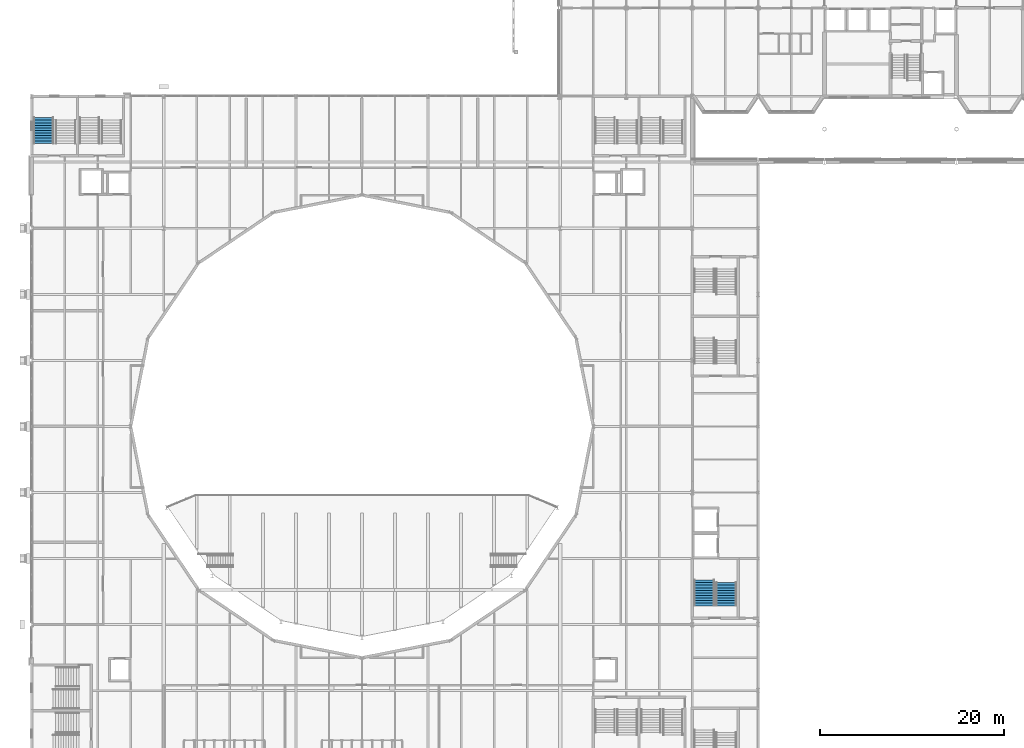
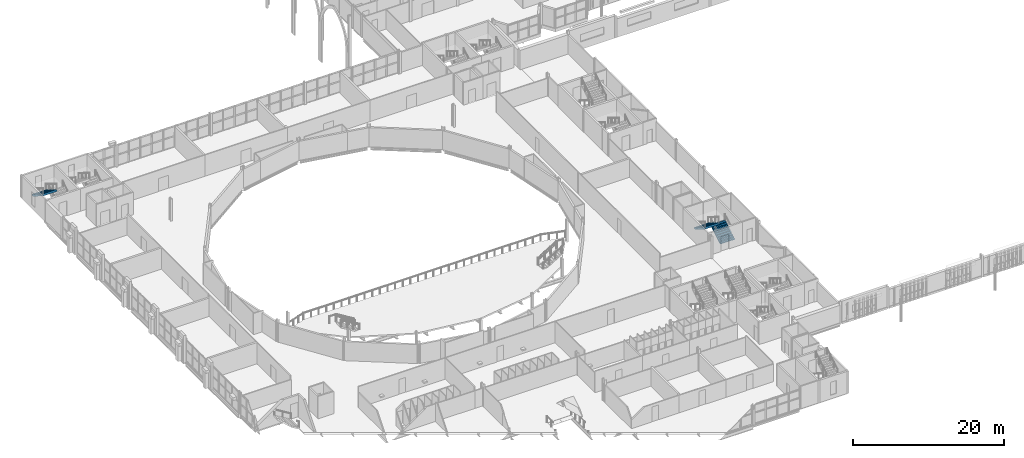
# One storey, part 87 of 124: 3 stair flights, 2 elements without a shape of their own.
"""IFC4 building model written with IfcOpenShell, lengths in metres."""

from ifc_helpers import new_model, si_unit, direction, frame, origin, place, context, subcontext, project, spatial, polyline, outline, extrude, material, type_object, element, aggregate, save


model = new_model("IFC4")

# Units and contexts
model_context = context("Model", 3, precision=1e-05, world=origin(), true_north=direction((0.0, 1.0)))
body_context = subcontext(model_context, "Body", "Model", "MODEL_VIEW")
ifc_project = project(units=[si_unit("LENGTHUNIT", "METRE"), si_unit("AREAUNIT", "SQUARE_METRE"), si_unit("VOLUMEUNIT", "CUBIC_METRE"), si_unit("PLANEANGLEUNIT", "RADIAN"), si_unit("MASSUNIT", "GRAM", prefix="KILO")], contexts=[model_context])

# Site, building, storey
site_placement = place(None, origin())
site = spatial("IfcSite", under=ifc_project, at=site_placement, CompositionType="ELEMENT")
building_placement = place(site_placement, origin())
building = spatial("IfcBuilding", under=site, at=building_placement, Name="Kupolbacken Congress Centre", CompositionType="ELEMENT")
storey_placement = place(building_placement, frame((0.0, 0.0, 10.800048828125)))
storey = spatial("IfcBuildingStorey", under=building, at=storey_placement, Name="L03", CompositionType="ELEMENT", Elevation=10.800048828125)

# Stair, stair flight
ifc_material_1 = material(Name="Concrete C30/37", Category="concrete")
stair_type = type_object("IfcStairType", Name="ST13 stair 2200", PredefinedType="TWO_STRAIGHT_RUN_STAIR", material=ifc_material_1)
stair_1_placement = place(storey_placement, origin())
stair_1 = element("IfcStair", 1, at=stair_1_placement, inside=storey, type_object=stair_type, Name="C/stair/LS3/L03", PredefinedType="NOTDEFINED")
ifc_material_2 = material(Name="Concrete C30/37", Category="concrete")
stair_flight_type_1 = type_object("IfcStairFlightType", Name="FL13 stair flight 2200 x 10 risers", PredefinedType="STRAIGHT", material=ifc_material_2)
stair_flight_1_placement = place(storey_placement, frame((82.89990234375, 66.85498046875, 0.0), z_axis=(0.0, 0.0, 1.0), x_axis=(0.0, 1.0, 0.0)))
stair_flight_1 = element("IfcStairFlight", 2, at=stair_flight_1_placement, type_object=stair_flight_type_1, Name="LS3 flight 1", NumberOfRisers=10, NumberOfTreads=9, PredefinedType="STRAIGHT", RiserHeight=0.171428571, TreadLength=0.28, context=body_context, shape_type="SweptSolid", body=[
    extrude(outline(polyline([(0.0, 0.0), (0.0, 0.0009765625), (0.0, 0.002197265625), (0.0, 0.003173828125), (0.0, 0.004150390625), (0.0, 0.00537109375), (0.0, 0.00634765625), (0.0, 0.007568359375), (0.0, 0.008544921875), (0.0, 0.009521484375), (0.0, 0.0107421875), (0.0, 0.01171875), (0.0, 0.0126953125), (0.0, 0.013916015625), (0.0, 0.014892578125), (0.0, 0.015869140625), (0.0, 0.01708984375), (0.0, 0.01806640625), (0.0, 0.019287109375), (0.0, 0.020263671875), (0.0, 0.021240234375), (0.0, 0.0224609375), (0.0, 0.0234375), (0.0, 0.0244140625), (0.0, 0.025634765625), (0.0, 0.026611328125), (0.0, 0.027587890625), (0.0, 0.02880859375), (0.0, 0.02978515625), (0.0, 0.03076171875), (0.0, 0.031982421875), (0.0, 0.032958984375), (0.0, 0.0341796875), (0.0, 0.03515625), (0.0, 0.0361328125), (0.0, 0.037353515625), (0.0, 0.038330078125), (0.0, 0.039306640625), (0.0, 0.04052734375), (0.0, 0.04150390625), (0.0, 0.04248046875), (0.0, 0.043701171875), (0.0, 0.044677734375), (0.0, 0.0458984375), (0.0, 0.046875), (0.0, 0.0478515625), (0.0, 0.049072265625), (0.0, 0.050048828125), (0.0, 0.051025390625), (0.0, 0.05224609375), (0.0, 0.05322265625), (0.0, 0.05419921875), (0.0, 0.055419921875), (0.0, 0.056396484375), (0.0, 0.0576171875), (0.0, 0.05859375), (0.0, 0.0595703125), (0.0, 0.060791015625), (0.0, 0.061767578125), (0.0, 0.062744140625), (0.0, 0.06396484375), (0.0, 0.06494140625), (0.0, 0.06591796875), (0.0, 0.067138671875), (0.0, 0.068115234375), (0.0, 0.069091796875), (0.0, 0.0703125), (0.0, 0.0712890625), (0.0, 0.072509765625), (0.0, 0.073486328125), (0.0, 0.074462890625), (0.0, 0.07568359375), (0.0, 0.07666015625), (0.0, 0.07763671875), (0.0, 0.078857421875), (0.0, 0.079833984375), (0.0, 0.080810546875), (0.0, 0.08203125), (0.0, 0.0830078125), (0.0, 0.084228515625), (0.0, 0.085205078125), (0.0, 0.086181640625), (0.0, 0.08740234375), (0.0, 0.08837890625), (0.0, 0.08935546875), (0.0, 0.090576171875), (0.0, 0.091552734375), (0.0, 0.092529296875), (0.0, 0.09375), (0.0, 0.0947265625), (0.0, 0.095947265625), (0.0, 0.096923828125), (0.0, 0.097900390625), (0.0, 0.09912109375), (0.0, 0.10009765625), (0.0, 0.10107421875), (0.0, 0.102294921875), (0.0, 0.103271484375), (0.0, 0.104248046875), (0.0, 0.10546875), (0.0, 0.1064453125), (0.0, 0.107421875), (0.0, 0.108642578125), (0.0, 0.109619140625), (0.0, 0.11083984375), (0.0, 0.11181640625), (0.0, 0.11279296875), (0.0, 0.114013671875), (0.0, 0.114990234375), (0.0, 0.115966796875), (0.0, 0.1171875), (0.0, 0.1181640625), (0.0, 0.119140625), (0.0, 0.120361328125), (0.0, 0.121337890625), (0.0, 0.12255859375), (0.0, 0.12353515625), (0.0, 0.12451171875), (0.0, 0.125732421875), (0.0, 0.126708984375), (0.0, 0.127685546875), (0.0, 0.12890625), (0.0, 0.1298828125), (0.0, 0.130859375), (0.0, 0.132080078125), (0.0, 0.133056640625), (0.0, 0.13427734375), (0.0, 0.13525390625), (0.0, 0.13623046875), (0.0, 0.137451171875), (0.0, 0.138427734375), (0.0, 0.139404296875), (0.0, 0.140625), (0.0, 0.1416015625), (0.0, 0.142578125), (0.0, 0.143798828125), (0.0, 0.144775390625), (0.0, 0.145751953125), (0.0, 0.14697265625), (0.0, 0.14794921875), (0.0, 0.149169921875), (0.0, 0.150146484375), (0.0, 0.151123046875), (0.0, 0.15234375), (0.0, 0.1533203125), (0.0, 0.154296875), (0.0, 0.155517578125), (0.0, 0.156494140625), (0.0, 0.157470703125), (0.0, 0.15869140625), (0.0, 0.15966796875), (0.0, 0.160888671875), (0.0, 0.161865234375), (0.0, 0.162841796875), (0.0, 0.1640625), (0.0, 0.1650390625), (0.0, 0.166015625), (0.0, 0.167236328125), (0.0, 0.168212890625), (0.0, 0.169189453125), (0.0, 0.17041015625), (0.0, 0.17138671875), (0.280029296875, 0.17138671875), (0.280029296875, 0.3427734375), (0.56005859375, 0.3427734375), (0.56005859375, 0.514404296875), (0.840087890625, 0.514404296875), (0.840087890625, 0.685791015625), (1.1201171875, 0.685791015625), (1.1201171875, 0.857177734375), (1.39990234375, 0.857177734375), (1.39990234375, 1.028564453125), (1.679931640625, 1.028564453125), (1.679931640625, 1.199951171875), (1.9599609375, 1.199951171875), (1.9599609375, 1.371337890625), (2.239990234375, 1.371337890625), (2.239990234375, 1.54296875), (2.52001953125, 1.54296875), (2.52001953125, 1.71435546875), (2.52197265625, 1.71435546875), (2.52197265625, 1.712158203125), (2.52197265625, 1.7099609375), (2.52197265625, 1.707763671875), (2.52197265625, 1.70556640625), (2.52197265625, 1.70361328125), (2.52197265625, 1.701416015625), (2.52197265625, 1.69921875), (2.52197265625, 1.697021484375), (2.52197265625, 1.69482421875), (2.52197265625, 1.692626953125), (2.52197265625, 1.690673828125), (2.52197265625, 1.6884765625), (2.52197265625, 1.686279296875), (2.52197265625, 1.68408203125), (2.52197265625, 1.681884765625), (2.52197265625, 1.6796875), (2.52197265625, 1.677734375), (2.52197265625, 1.675537109375), (2.52197265625, 1.67333984375), (2.52197265625, 1.671142578125), (2.52197265625, 1.6689453125), (2.52197265625, 1.666748046875), (2.52197265625, 1.664794921875), (2.52197265625, 1.66259765625), (2.52197265625, 1.660400390625), (2.52197265625, 1.658203125), (2.52197265625, 1.656005859375), (2.52197265625, 1.65380859375), (2.52197265625, 1.65185546875), (2.52197265625, 1.649658203125), (2.52197265625, 1.6474609375), (2.52197265625, 1.645263671875), (2.52197265625, 1.64306640625), (2.52197265625, 1.640869140625), (2.52197265625, 1.638916015625), (2.52197265625, 1.63671875), (2.52197265625, 1.634521484375), (2.52197265625, 1.63232421875), (2.52197265625, 1.630126953125), (2.52197265625, 1.6279296875), (2.52197265625, 1.6259765625), (2.52197265625, 1.623779296875), (2.52197265625, 1.62158203125), (2.52197265625, 1.619384765625), (2.52197265625, 1.6171875), (2.52197265625, 1.614990234375), (2.52197265625, 1.613037109375), (2.52197265625, 1.61083984375), (2.52197265625, 1.608642578125), (2.52197265625, 1.6064453125), (2.52197265625, 1.604248046875), (2.52197265625, 1.60205078125), (2.52197265625, 1.60009765625), (2.52197265625, 1.597900390625), (2.52197265625, 1.595703125), (2.52197265625, 1.593505859375), (2.52197265625, 1.59130859375), (2.52197265625, 1.589111328125), (2.52197265625, 1.587158203125), (2.52197265625, 1.5849609375), (2.52197265625, 1.582763671875), (2.52197265625, 1.58056640625), (2.52197265625, 1.578369140625), (2.52197265625, 1.576171875), (2.52197265625, 1.57421875), (2.52197265625, 1.572021484375), (2.52197265625, 1.56982421875), (2.52197265625, 1.567626953125), (2.52197265625, 1.5654296875), (2.52197265625, 1.563232421875), (2.52197265625, 1.561279296875), (2.52197265625, 1.55908203125), (2.52197265625, 1.556884765625), (2.52197265625, 1.5546875), (2.52197265625, 1.552490234375), (2.52197265625, 1.55029296875), (2.52197265625, 1.54833984375), (2.52197265625, 1.546142578125), (2.52197265625, 1.5439453125), (2.52197265625, 1.541748046875), (2.52197265625, 1.53955078125), (2.52197265625, 1.537353515625), (2.52197265625, 1.535400390625), (2.52197265625, 1.533203125), (2.52197265625, 1.531005859375), (2.52197265625, 1.52880859375), (2.52197265625, 1.526611328125), (2.52197265625, 1.5244140625), (2.52197265625, 1.5224609375), (2.52197265625, 1.520263671875), (2.52197265625, 1.51806640625), (2.52197265625, 1.515869140625), (2.52197265625, 1.513671875), (2.52197265625, 1.511474609375), (2.52197265625, 1.509521484375), (2.52197265625, 1.50732421875), (2.52197265625, 1.505126953125), (2.52197265625, 1.5029296875), (2.52197265625, 1.500732421875), (2.52197265625, 1.49853515625), (2.52197265625, 1.49658203125), (2.52197265625, 1.494384765625), (2.52197265625, 1.4921875), (2.52197265625, 1.489990234375), (2.52197265625, 1.48779296875), (2.52197265625, 1.485595703125), (2.52197265625, 1.483642578125), (2.52197265625, 1.4814453125), (2.52197265625, 1.479248046875), (2.52197265625, 1.47705078125), (2.52197265625, 1.474853515625), (2.52197265625, 1.47265625), (2.52197265625, 1.470703125), (2.52197265625, 1.468505859375), (2.52197265625, 1.46630859375), (2.52197265625, 1.464111328125), (2.52197265625, 1.4619140625), (2.52197265625, 1.459716796875), (2.52197265625, 1.457763671875), (2.52197265625, 1.45556640625), (2.52197265625, 1.453369140625), (2.52197265625, 1.451171875), (2.52197265625, 1.448974609375), (2.52197265625, 1.44677734375), (2.52197265625, 1.44482421875), (2.52197265625, 1.442626953125), (2.52197265625, 1.4404296875), (2.52197265625, 1.438232421875), (2.52197265625, 1.43603515625), (2.52197265625, 1.433837890625), (2.52197265625, 1.431884765625), (2.52197265625, 1.4296875), (2.52197265625, 1.427490234375), (2.52197265625, 1.42529296875), (2.52197265625, 1.423095703125), (2.52197265625, 1.4208984375), (2.52197265625, 1.4189453125), (2.52197265625, 1.416748046875), (2.52197265625, 1.41455078125), (2.52197265625, 1.412353515625), (2.52197265625, 1.41015625), (2.52197265625, 1.407958984375), (2.52197265625, 1.406005859375), (2.52197265625, 1.40380859375), (2.52197265625, 1.401611328125), (2.52197265625, 1.3994140625), (2.52197265625, 1.397216796875), (2.52197265625, 1.39501953125), (2.52197265625, 1.39306640625), (2.52197265625, 1.390869140625), (2.52197265625, 1.388671875), (2.52197265625, 1.386474609375), (2.52197265625, 1.38427734375), (2.52197265625, 1.382080078125), (2.52197265625, 1.380126953125), (2.52197265625, 1.3779296875), (2.52197265625, 1.375732421875), (2.52197265625, 1.37353515625), (2.52197265625, 1.371337890625), (2.52197265625, 1.369140625), (2.52197265625, 1.3671875), (0.2890625, 0.0), (0.0, 0.0)])), frame((0.0, 1.10009765625, 0.0), z_axis=(0.0, -1.0, 0.0), x_axis=(1.0, 0.0, 0.0)), (0.0, 0.0, 1.0), 2.199951171875),
])

stair_2_placement = place(storey_placement, origin())
stair_2 = element("IfcStair", 3, at=stair_2_placement, inside=storey, type_object=stair_type, Name="C/stair/PS1NW/L03", PredefinedType="NOTDEFINED")
ifc_material_3 = material(Name="Concrete C30/37", Category="concrete")
stair_flight_type_2 = type_object("IfcStairFlightType", Name="FL14 stair flight 2200 x 11 risers", PredefinedType="STRAIGHT", material=ifc_material_3)
stair_flight_2_placement = place(storey_placement, frame((8.5, 120.054931640625, 1.71435546875), z_axis=(0.0, 0.0, 1.0), x_axis=(0.0, -1.0, 0.0)))
stair_flight_2 = element("IfcStairFlight", 4, at=stair_flight_2_placement, type_object=stair_flight_type_2, Name="PS1NW flight 2", NumberOfRisers=11, NumberOfTreads=10, PredefinedType="STRAIGHT", RiserHeight=0.171428571, TreadLength=0.28, context=body_context, shape_type="SweptSolid", body=[
    extrude(outline(polyline([(0.0, 0.0), (0.0, 0.0009765625), (0.0, 0.002197265625), (0.0, 0.003173828125), (0.0, 0.004150390625), (0.0, 0.00537109375), (0.0, 0.00634765625), (0.0, 0.007568359375), (0.0, 0.008544921875), (0.0, 0.009521484375), (0.0, 0.0107421875), (0.0, 0.01171875), (0.0, 0.0126953125), (0.0, 0.013916015625), (0.0, 0.014892578125), (0.0, 0.015869140625), (0.0, 0.01708984375), (0.0, 0.01806640625), (0.0, 0.019287109375), (0.0, 0.020263671875), (0.0, 0.021240234375), (0.0, 0.0224609375), (0.0, 0.0234375), (0.0, 0.0244140625), (0.0, 0.025634765625), (0.0, 0.026611328125), (0.0, 0.027587890625), (0.0, 0.02880859375), (0.0, 0.02978515625), (0.0, 0.03076171875), (0.0, 0.031982421875), (0.0, 0.032958984375), (0.0, 0.0341796875), (0.0, 0.03515625), (0.0, 0.0361328125), (0.0, 0.037353515625), (0.0, 0.038330078125), (0.0, 0.039306640625), (0.0, 0.04052734375), (0.0, 0.04150390625), (0.0, 0.04248046875), (0.0, 0.043701171875), (0.0, 0.044677734375), (0.0, 0.0458984375), (0.0, 0.046875), (0.0, 0.0478515625), (0.0, 0.049072265625), (0.0, 0.050048828125), (0.0, 0.051025390625), (0.0, 0.05224609375), (0.0, 0.05322265625), (0.0, 0.05419921875), (0.0, 0.055419921875), (0.0, 0.056396484375), (0.0, 0.0576171875), (0.0, 0.05859375), (0.0, 0.0595703125), (0.0, 0.060791015625), (0.0, 0.061767578125), (0.0, 0.062744140625), (0.0, 0.06396484375), (0.0, 0.06494140625), (0.0, 0.06591796875), (0.0, 0.067138671875), (0.0, 0.068115234375), (0.0, 0.069091796875), (0.0, 0.0703125), (0.0, 0.0712890625), (0.0, 0.072509765625), (0.0, 0.073486328125), (0.0, 0.074462890625), (0.0, 0.07568359375), (0.0, 0.07666015625), (0.0, 0.07763671875), (0.0, 0.078857421875), (0.0, 0.079833984375), (0.0, 0.080810546875), (0.0, 0.08203125), (0.0, 0.0830078125), (0.0, 0.084228515625), (0.0, 0.085205078125), (0.0, 0.086181640625), (0.0, 0.08740234375), (0.0, 0.08837890625), (0.0, 0.08935546875), (0.0, 0.090576171875), (0.0, 0.091552734375), (0.0, 0.092529296875), (0.0, 0.09375), (0.0, 0.0947265625), (0.0, 0.095947265625), (0.0, 0.096923828125), (0.0, 0.097900390625), (0.0, 0.09912109375), (0.0, 0.10009765625), (0.0, 0.10107421875), (0.0, 0.102294921875), (0.0, 0.103271484375), (0.0, 0.104248046875), (0.0, 0.10546875), (0.0, 0.1064453125), (0.0, 0.107421875), (0.0, 0.108642578125), (0.0, 0.109619140625), (0.0, 0.11083984375), (0.0, 0.11181640625), (0.0, 0.11279296875), (0.0, 0.114013671875), (0.0, 0.114990234375), (0.0, 0.115966796875), (0.0, 0.1171875), (0.0, 0.1181640625), (0.0, 0.119140625), (0.0, 0.120361328125), (0.0, 0.121337890625), (0.0, 0.12255859375), (0.0, 0.12353515625), (0.0, 0.12451171875), (0.0, 0.125732421875), (0.0, 0.126708984375), (0.0, 0.127685546875), (0.0, 0.12890625), (0.0, 0.1298828125), (0.0, 0.130859375), (0.0, 0.132080078125), (0.0, 0.133056640625), (0.0, 0.13427734375), (0.0, 0.13525390625), (0.0, 0.13623046875), (0.0, 0.137451171875), (0.0, 0.138427734375), (0.0, 0.139404296875), (0.0, 0.140625), (0.0, 0.1416015625), (0.0, 0.142578125), (0.0, 0.143798828125), (0.0, 0.144775390625), (0.0, 0.145751953125), (0.0, 0.14697265625), (0.0, 0.14794921875), (0.0, 0.149169921875), (0.0, 0.150146484375), (0.0, 0.151123046875), (0.0, 0.15234375), (0.0, 0.1533203125), (0.0, 0.154296875), (0.0, 0.155517578125), (0.0, 0.156494140625), (0.0, 0.157470703125), (0.0, 0.15869140625), (0.0, 0.15966796875), (0.0, 0.160888671875), (0.0, 0.161865234375), (0.0, 0.162841796875), (0.0, 0.1640625), (0.0, 0.1650390625), (0.0, 0.166015625), (0.0, 0.167236328125), (0.0, 0.168212890625), (0.0, 0.169189453125), (0.0, 0.17041015625), (0.0, 0.17138671875), (0.280029296875, 0.17138671875), (0.280029296875, 0.3427734375), (0.56005859375, 0.3427734375), (0.56005859375, 0.514404296875), (0.840087890625, 0.514404296875), (0.840087890625, 0.685791015625), (1.1201171875, 0.685791015625), (1.1201171875, 0.857177734375), (1.39990234375, 0.857177734375), (1.39990234375, 1.028564453125), (1.679931640625, 1.028564453125), (1.679931640625, 1.199951171875), (1.9599609375, 1.199951171875), (1.9599609375, 1.371337890625), (2.239990234375, 1.371337890625), (2.239990234375, 1.54296875), (2.52001953125, 1.54296875), (2.52001953125, 1.71435546875), (2.800048828125, 1.71435546875), (2.800048828125, 1.8857421875), (2.802001953125, 1.8857421875), (2.802001953125, 1.883544921875), (2.802001953125, 1.88134765625), (2.802001953125, 1.879150390625), (2.802001953125, 1.877197265625), (2.802001953125, 1.875), (2.802001953125, 1.872802734375), (2.802001953125, 1.87060546875), (2.802001953125, 1.868408203125), (2.802001953125, 1.8662109375), (2.802001953125, 1.8642578125), (2.802001953125, 1.862060546875), (2.802001953125, 1.85986328125), (2.802001953125, 1.857666015625), (2.802001953125, 1.85546875), (2.802001953125, 1.853271484375), (2.802001953125, 1.851318359375), (2.802001953125, 1.84912109375), (2.802001953125, 1.846923828125), (2.802001953125, 1.8447265625), (2.802001953125, 1.842529296875), (2.802001953125, 1.84033203125), (2.802001953125, 1.83837890625), (2.802001953125, 1.836181640625), (2.802001953125, 1.833984375), (2.802001953125, 1.831787109375), (2.802001953125, 1.82958984375), (2.802001953125, 1.827392578125), (2.802001953125, 1.825439453125), (2.802001953125, 1.8232421875), (2.802001953125, 1.821044921875), (2.802001953125, 1.81884765625), (2.802001953125, 1.816650390625), (2.802001953125, 1.814453125), (2.802001953125, 1.8125), (2.802001953125, 1.810302734375), (2.802001953125, 1.80810546875), (2.802001953125, 1.805908203125), (2.802001953125, 1.8037109375), (2.802001953125, 1.801513671875), (2.802001953125, 1.799560546875), (2.802001953125, 1.79736328125), (2.802001953125, 1.795166015625), (2.802001953125, 1.79296875), (2.802001953125, 1.790771484375), (2.802001953125, 1.78857421875), (2.802001953125, 1.78662109375), (2.802001953125, 1.784423828125), (2.802001953125, 1.7822265625), (2.802001953125, 1.780029296875), (2.802001953125, 1.77783203125), (2.802001953125, 1.775634765625), (2.802001953125, 1.773681640625), (2.802001953125, 1.771484375), (2.802001953125, 1.769287109375), (2.802001953125, 1.76708984375), (2.802001953125, 1.764892578125), (2.802001953125, 1.7626953125), (2.802001953125, 1.7607421875), (2.802001953125, 1.758544921875), (2.802001953125, 1.75634765625), (2.802001953125, 1.754150390625), (2.802001953125, 1.751953125), (2.802001953125, 1.749755859375), (2.802001953125, 1.747802734375), (2.802001953125, 1.74560546875), (2.802001953125, 1.743408203125), (2.802001953125, 1.7412109375), (2.802001953125, 1.739013671875), (2.802001953125, 1.73681640625), (2.802001953125, 1.73486328125), (2.802001953125, 1.732666015625), (2.802001953125, 1.73046875), (2.802001953125, 1.728271484375), (2.802001953125, 1.72607421875), (2.802001953125, 1.723876953125), (2.802001953125, 1.721923828125), (2.802001953125, 1.7197265625), (2.802001953125, 1.717529296875), (2.802001953125, 1.71533203125), (2.802001953125, 1.713134765625), (2.802001953125, 1.7109375), (2.802001953125, 1.708984375), (2.802001953125, 1.706787109375), (2.802001953125, 1.70458984375), (2.802001953125, 1.702392578125), (2.802001953125, 1.7001953125), (2.802001953125, 1.697998046875), (2.802001953125, 1.696044921875), (2.802001953125, 1.69384765625), (2.802001953125, 1.691650390625), (2.802001953125, 1.689453125), (2.802001953125, 1.687255859375), (2.802001953125, 1.68505859375), (2.802001953125, 1.68310546875), (2.802001953125, 1.680908203125), (2.802001953125, 1.6787109375), (2.802001953125, 1.676513671875), (2.802001953125, 1.67431640625), (2.802001953125, 1.672119140625), (2.802001953125, 1.670166015625), (2.802001953125, 1.66796875), (2.802001953125, 1.665771484375), (2.802001953125, 1.66357421875), (2.802001953125, 1.661376953125), (2.802001953125, 1.6591796875), (2.802001953125, 1.6572265625), (2.802001953125, 1.655029296875), (2.802001953125, 1.65283203125), (2.802001953125, 1.650634765625), (2.802001953125, 1.6484375), (2.802001953125, 1.646240234375), (2.802001953125, 1.644287109375), (2.802001953125, 1.64208984375), (2.802001953125, 1.639892578125), (2.802001953125, 1.6376953125), (2.802001953125, 1.635498046875), (2.802001953125, 1.63330078125), (2.802001953125, 1.63134765625), (2.802001953125, 1.629150390625), (2.802001953125, 1.626953125), (2.802001953125, 1.624755859375), (2.802001953125, 1.62255859375), (2.802001953125, 1.620361328125), (2.802001953125, 1.618408203125), (2.802001953125, 1.6162109375), (2.802001953125, 1.614013671875), (2.802001953125, 1.61181640625), (2.802001953125, 1.609619140625), (2.802001953125, 1.607421875), (2.802001953125, 1.60546875), (2.802001953125, 1.603271484375), (2.802001953125, 1.60107421875), (2.802001953125, 1.598876953125), (2.802001953125, 1.5966796875), (2.802001953125, 1.594482421875), (2.802001953125, 1.592529296875), (2.802001953125, 1.59033203125), (2.802001953125, 1.588134765625), (2.802001953125, 1.5859375), (2.802001953125, 1.583740234375), (2.802001953125, 1.58154296875), (2.802001953125, 1.57958984375), (2.802001953125, 1.577392578125), (2.802001953125, 1.5751953125), (2.802001953125, 1.572998046875), (2.802001953125, 1.57080078125), (2.802001953125, 1.568603515625), (2.802001953125, 1.566650390625), (2.802001953125, 1.564453125), (2.802001953125, 1.562255859375), (2.802001953125, 1.56005859375), (2.802001953125, 1.557861328125), (2.802001953125, 1.5556640625), (2.802001953125, 1.5537109375), (2.802001953125, 1.551513671875), (2.802001953125, 1.54931640625), (2.802001953125, 1.547119140625), (2.802001953125, 1.544921875), (2.802001953125, 1.542724609375), (2.802001953125, 1.540771484375), (2.802001953125, 1.53857421875), (0.2890625, 0.0), (0.0, 0.0)])), frame((0.0, 1.10009765625, 0.0), z_axis=(0.0, -1.0, 0.0), x_axis=(1.0, 0.0, 0.0)), (0.0, 0.0, 1.0), 2.199951171875),
])
aggregate(stair_2, [stair_flight_2])

# Stair flight
stair_flight_3_placement = place(storey_placement, frame((80.5, 69.655029296875, 1.71435546875), z_axis=(0.0, 0.0, 1.0), x_axis=(0.0, -1.0, 0.0)))
stair_flight_3 = element("IfcStairFlight", 5, at=stair_flight_3_placement, type_object=stair_flight_type_2, Name="LS3 flight 2", NumberOfRisers=11, NumberOfTreads=10, PredefinedType="STRAIGHT", RiserHeight=0.171428571, TreadLength=0.28, context=body_context, shape_type="SweptSolid", body=[
    extrude(outline(polyline([(0.0, 0.0), (0.0, 0.0009765625), (0.0, 0.002197265625), (0.0, 0.003173828125), (0.0, 0.004150390625), (0.0, 0.00537109375), (0.0, 0.00634765625), (0.0, 0.007568359375), (0.0, 0.008544921875), (0.0, 0.009521484375), (0.0, 0.0107421875), (0.0, 0.01171875), (0.0, 0.0126953125), (0.0, 0.013916015625), (0.0, 0.014892578125), (0.0, 0.015869140625), (0.0, 0.01708984375), (0.0, 0.01806640625), (0.0, 0.019287109375), (0.0, 0.020263671875), (0.0, 0.021240234375), (0.0, 0.0224609375), (0.0, 0.0234375), (0.0, 0.0244140625), (0.0, 0.025634765625), (0.0, 0.026611328125), (0.0, 0.027587890625), (0.0, 0.02880859375), (0.0, 0.02978515625), (0.0, 0.03076171875), (0.0, 0.031982421875), (0.0, 0.032958984375), (0.0, 0.0341796875), (0.0, 0.03515625), (0.0, 0.0361328125), (0.0, 0.037353515625), (0.0, 0.038330078125), (0.0, 0.039306640625), (0.0, 0.04052734375), (0.0, 0.04150390625), (0.0, 0.04248046875), (0.0, 0.043701171875), (0.0, 0.044677734375), (0.0, 0.0458984375), (0.0, 0.046875), (0.0, 0.0478515625), (0.0, 0.049072265625), (0.0, 0.050048828125), (0.0, 0.051025390625), (0.0, 0.05224609375), (0.0, 0.05322265625), (0.0, 0.05419921875), (0.0, 0.055419921875), (0.0, 0.056396484375), (0.0, 0.0576171875), (0.0, 0.05859375), (0.0, 0.0595703125), (0.0, 0.060791015625), (0.0, 0.061767578125), (0.0, 0.062744140625), (0.0, 0.06396484375), (0.0, 0.06494140625), (0.0, 0.06591796875), (0.0, 0.067138671875), (0.0, 0.068115234375), (0.0, 0.069091796875), (0.0, 0.0703125), (0.0, 0.0712890625), (0.0, 0.072509765625), (0.0, 0.073486328125), (0.0, 0.074462890625), (0.0, 0.07568359375), (0.0, 0.07666015625), (0.0, 0.07763671875), (0.0, 0.078857421875), (0.0, 0.079833984375), (0.0, 0.080810546875), (0.0, 0.08203125), (0.0, 0.0830078125), (0.0, 0.084228515625), (0.0, 0.085205078125), (0.0, 0.086181640625), (0.0, 0.08740234375), (0.0, 0.08837890625), (0.0, 0.08935546875), (0.0, 0.090576171875), (0.0, 0.091552734375), (0.0, 0.092529296875), (0.0, 0.09375), (0.0, 0.0947265625), (0.0, 0.095947265625), (0.0, 0.096923828125), (0.0, 0.097900390625), (0.0, 0.09912109375), (0.0, 0.10009765625), (0.0, 0.10107421875), (0.0, 0.102294921875), (0.0, 0.103271484375), (0.0, 0.104248046875), (0.0, 0.10546875), (0.0, 0.1064453125), (0.0, 0.107421875), (0.0, 0.108642578125), (0.0, 0.109619140625), (0.0, 0.11083984375), (0.0, 0.11181640625), (0.0, 0.11279296875), (0.0, 0.114013671875), (0.0, 0.114990234375), (0.0, 0.115966796875), (0.0, 0.1171875), (0.0, 0.1181640625), (0.0, 0.119140625), (0.0, 0.120361328125), (0.0, 0.121337890625), (0.0, 0.12255859375), (0.0, 0.12353515625), (0.0, 0.12451171875), (0.0, 0.125732421875), (0.0, 0.126708984375), (0.0, 0.127685546875), (0.0, 0.12890625), (0.0, 0.1298828125), (0.0, 0.130859375), (0.0, 0.132080078125), (0.0, 0.133056640625), (0.0, 0.13427734375), (0.0, 0.13525390625), (0.0, 0.13623046875), (0.0, 0.137451171875), (0.0, 0.138427734375), (0.0, 0.139404296875), (0.0, 0.140625), (0.0, 0.1416015625), (0.0, 0.142578125), (0.0, 0.143798828125), (0.0, 0.144775390625), (0.0, 0.145751953125), (0.0, 0.14697265625), (0.0, 0.14794921875), (0.0, 0.149169921875), (0.0, 0.150146484375), (0.0, 0.151123046875), (0.0, 0.15234375), (0.0, 0.1533203125), (0.0, 0.154296875), (0.0, 0.155517578125), (0.0, 0.156494140625), (0.0, 0.157470703125), (0.0, 0.15869140625), (0.0, 0.15966796875), (0.0, 0.160888671875), (0.0, 0.161865234375), (0.0, 0.162841796875), (0.0, 0.1640625), (0.0, 0.1650390625), (0.0, 0.166015625), (0.0, 0.167236328125), (0.0, 0.168212890625), (0.0, 0.169189453125), (0.0, 0.17041015625), (0.0, 0.17138671875), (0.280029296875, 0.17138671875), (0.280029296875, 0.3427734375), (0.56005859375, 0.3427734375), (0.56005859375, 0.514404296875), (0.840087890625, 0.514404296875), (0.840087890625, 0.685791015625), (1.1201171875, 0.685791015625), (1.1201171875, 0.857177734375), (1.39990234375, 0.857177734375), (1.39990234375, 1.028564453125), (1.679931640625, 1.028564453125), (1.679931640625, 1.199951171875), (1.9599609375, 1.199951171875), (1.9599609375, 1.371337890625), (2.239990234375, 1.371337890625), (2.239990234375, 1.54296875), (2.52001953125, 1.54296875), (2.52001953125, 1.71435546875), (2.800048828125, 1.71435546875), (2.800048828125, 1.8857421875), (2.802001953125, 1.8857421875), (2.802001953125, 1.883544921875), (2.802001953125, 1.88134765625), (2.802001953125, 1.879150390625), (2.802001953125, 1.877197265625), (2.802001953125, 1.875), (2.802001953125, 1.872802734375), (2.802001953125, 1.87060546875), (2.802001953125, 1.868408203125), (2.802001953125, 1.8662109375), (2.802001953125, 1.8642578125), (2.802001953125, 1.862060546875), (2.802001953125, 1.85986328125), (2.802001953125, 1.857666015625), (2.802001953125, 1.85546875), (2.802001953125, 1.853271484375), (2.802001953125, 1.851318359375), (2.802001953125, 1.84912109375), (2.802001953125, 1.846923828125), (2.802001953125, 1.8447265625), (2.802001953125, 1.842529296875), (2.802001953125, 1.84033203125), (2.802001953125, 1.83837890625), (2.802001953125, 1.836181640625), (2.802001953125, 1.833984375), (2.802001953125, 1.831787109375), (2.802001953125, 1.82958984375), (2.802001953125, 1.827392578125), (2.802001953125, 1.825439453125), (2.802001953125, 1.8232421875), (2.802001953125, 1.821044921875), (2.802001953125, 1.81884765625), (2.802001953125, 1.816650390625), (2.802001953125, 1.814453125), (2.802001953125, 1.8125), (2.802001953125, 1.810302734375), (2.802001953125, 1.80810546875), (2.802001953125, 1.805908203125), (2.802001953125, 1.8037109375), (2.802001953125, 1.801513671875), (2.802001953125, 1.799560546875), (2.802001953125, 1.79736328125), (2.802001953125, 1.795166015625), (2.802001953125, 1.79296875), (2.802001953125, 1.790771484375), (2.802001953125, 1.78857421875), (2.802001953125, 1.78662109375), (2.802001953125, 1.784423828125), (2.802001953125, 1.7822265625), (2.802001953125, 1.780029296875), (2.802001953125, 1.77783203125), (2.802001953125, 1.775634765625), (2.802001953125, 1.773681640625), (2.802001953125, 1.771484375), (2.802001953125, 1.769287109375), (2.802001953125, 1.76708984375), (2.802001953125, 1.764892578125), (2.802001953125, 1.7626953125), (2.802001953125, 1.7607421875), (2.802001953125, 1.758544921875), (2.802001953125, 1.75634765625), (2.802001953125, 1.754150390625), (2.802001953125, 1.751953125), (2.802001953125, 1.749755859375), (2.802001953125, 1.747802734375), (2.802001953125, 1.74560546875), (2.802001953125, 1.743408203125), (2.802001953125, 1.7412109375), (2.802001953125, 1.739013671875), (2.802001953125, 1.73681640625), (2.802001953125, 1.73486328125), (2.802001953125, 1.732666015625), (2.802001953125, 1.73046875), (2.802001953125, 1.728271484375), (2.802001953125, 1.72607421875), (2.802001953125, 1.723876953125), (2.802001953125, 1.721923828125), (2.802001953125, 1.7197265625), (2.802001953125, 1.717529296875), (2.802001953125, 1.71533203125), (2.802001953125, 1.713134765625), (2.802001953125, 1.7109375), (2.802001953125, 1.708984375), (2.802001953125, 1.706787109375), (2.802001953125, 1.70458984375), (2.802001953125, 1.702392578125), (2.802001953125, 1.7001953125), (2.802001953125, 1.697998046875), (2.802001953125, 1.696044921875), (2.802001953125, 1.69384765625), (2.802001953125, 1.691650390625), (2.802001953125, 1.689453125), (2.802001953125, 1.687255859375), (2.802001953125, 1.68505859375), (2.802001953125, 1.68310546875), (2.802001953125, 1.680908203125), (2.802001953125, 1.6787109375), (2.802001953125, 1.676513671875), (2.802001953125, 1.67431640625), (2.802001953125, 1.672119140625), (2.802001953125, 1.670166015625), (2.802001953125, 1.66796875), (2.802001953125, 1.665771484375), (2.802001953125, 1.66357421875), (2.802001953125, 1.661376953125), (2.802001953125, 1.6591796875), (2.802001953125, 1.6572265625), (2.802001953125, 1.655029296875), (2.802001953125, 1.65283203125), (2.802001953125, 1.650634765625), (2.802001953125, 1.6484375), (2.802001953125, 1.646240234375), (2.802001953125, 1.644287109375), (2.802001953125, 1.64208984375), (2.802001953125, 1.639892578125), (2.802001953125, 1.6376953125), (2.802001953125, 1.635498046875), (2.802001953125, 1.63330078125), (2.802001953125, 1.63134765625), (2.802001953125, 1.629150390625), (2.802001953125, 1.626953125), (2.802001953125, 1.624755859375), (2.802001953125, 1.62255859375), (2.802001953125, 1.620361328125), (2.802001953125, 1.618408203125), (2.802001953125, 1.6162109375), (2.802001953125, 1.614013671875), (2.802001953125, 1.61181640625), (2.802001953125, 1.609619140625), (2.802001953125, 1.607421875), (2.802001953125, 1.60546875), (2.802001953125, 1.603271484375), (2.802001953125, 1.60107421875), (2.802001953125, 1.598876953125), (2.802001953125, 1.5966796875), (2.802001953125, 1.594482421875), (2.802001953125, 1.592529296875), (2.802001953125, 1.59033203125), (2.802001953125, 1.588134765625), (2.802001953125, 1.5859375), (2.802001953125, 1.583740234375), (2.802001953125, 1.58154296875), (2.802001953125, 1.57958984375), (2.802001953125, 1.577392578125), (2.802001953125, 1.5751953125), (2.802001953125, 1.572998046875), (2.802001953125, 1.57080078125), (2.802001953125, 1.568603515625), (2.802001953125, 1.566650390625), (2.802001953125, 1.564453125), (2.802001953125, 1.562255859375), (2.802001953125, 1.56005859375), (2.802001953125, 1.557861328125), (2.802001953125, 1.5556640625), (2.802001953125, 1.5537109375), (2.802001953125, 1.551513671875), (2.802001953125, 1.54931640625), (2.802001953125, 1.547119140625), (2.802001953125, 1.544921875), (2.802001953125, 1.542724609375), (2.802001953125, 1.540771484375), (2.802001953125, 1.53857421875), (0.2890625, 0.0), (0.0, 0.0)])), frame((0.0, 1.10009765625, 0.0), z_axis=(0.0, -1.0, 0.0), x_axis=(1.0, 0.0, 0.0)), (0.0, 0.0, 1.0), 2.199951171875),
])

aggregate(stair_1, [stair_flight_1, stair_flight_3])

save(model, "model.ifc")
